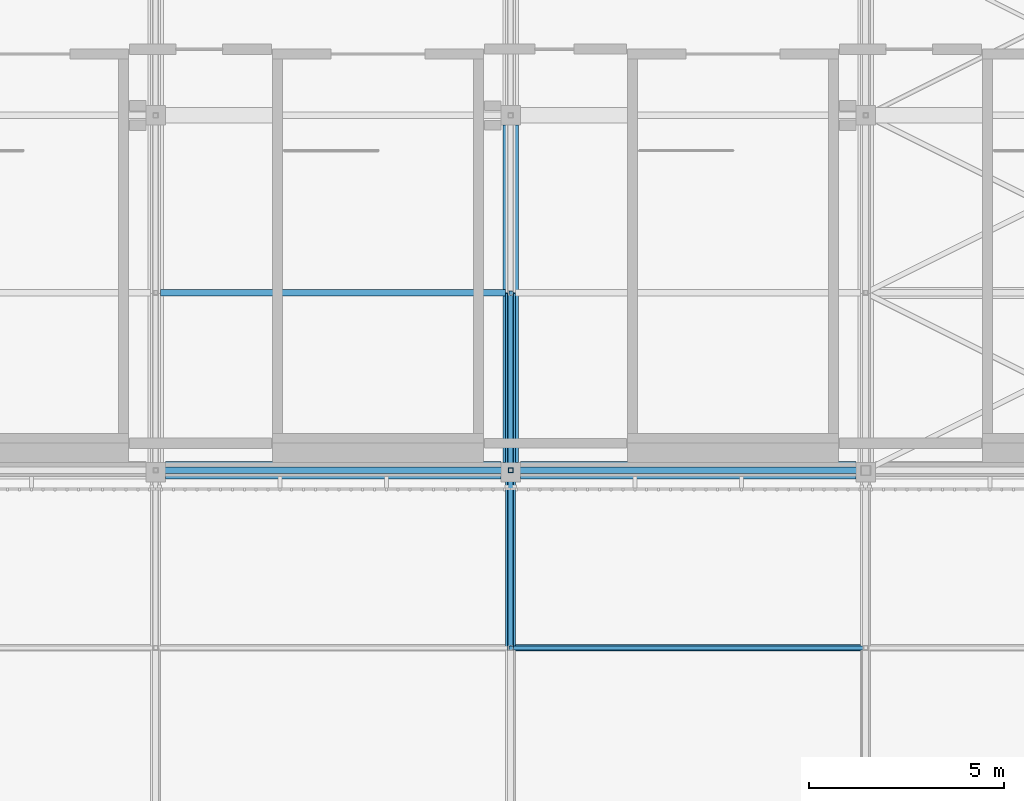
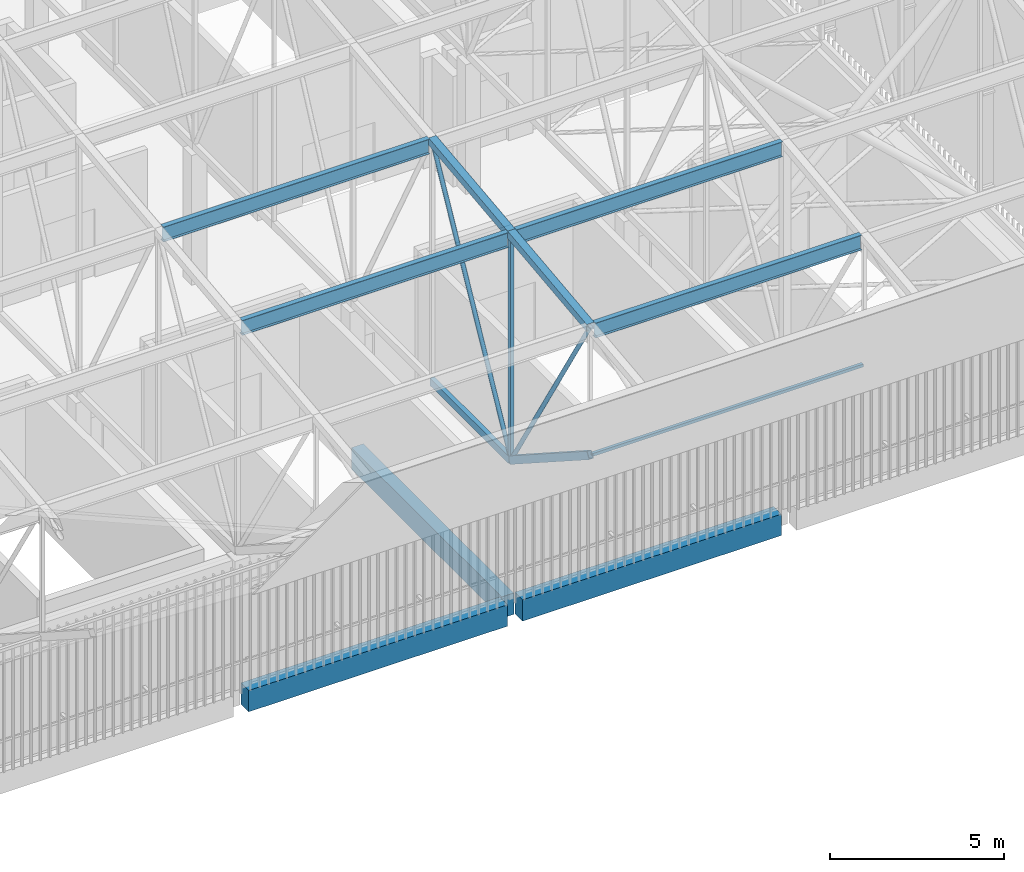
# One storey, part 328 of 500: 12 members, 3 beams.
"""IFC4 building model written with IfcOpenShell, lengths in metres."""

from ifc_helpers import new_model, si_unit, direction, frame, origin, origin_2d, place, context, subcontext, project, spatial, rectangle, hollow_rectangle, hollow_circle, i_section, extrude, material, material_profile, profile_set, type_object, element, save


model = new_model("IFC4")

# Units and contexts
model_context = context("Model", 3, precision=1e-05, world=origin(), true_north=direction((0.0, 1.0)))
body_context = subcontext(model_context, "Body", "Model", "MODEL_VIEW")
ifc_project = project(units=[si_unit("LENGTHUNIT", "METRE"), si_unit("AREAUNIT", "SQUARE_METRE"), si_unit("VOLUMEUNIT", "CUBIC_METRE"), si_unit("PLANEANGLEUNIT", "RADIAN"), si_unit("MASSUNIT", "GRAM", prefix="KILO")], contexts=[model_context])

# Site, building, storey
site_placement = place(None, origin())
site = spatial("IfcSite", under=ifc_project, at=site_placement, CompositionType="ELEMENT")
building_placement = place(site_placement, origin())
building = spatial("IfcBuilding", under=site, at=building_placement, Name="Shirokan Park Arena", CompositionType="ELEMENT")
storey_placement = place(building_placement, frame((0.0, 0.0, 29.1201171875)))
storey = spatial("IfcBuildingStorey", under=building, at=storey_placement, Name="L06", CompositionType="ELEMENT", Elevation=29.1201171875)

# Members
ifc_material_1 = material(Name="Steel ASTM A500 Grade C", Category="steel")
ifc_material_profile_1 = material_profile(ifc_material_1, hollow_rectangle(XDim=0.152099609375, YDim=0.25390625, WallThickness=0.009521484375, at=origin_2d()), Name="HSS254X152.4X9.5")
ifc_profile_set_1 = profile_set([ifc_material_profile_1], Name="Steel ASTM A500 Grade C")
member_type_1 = type_object("IfcMemberType", Name="Bottom chord HSS254X152.4X9.5", PredefinedType="CHORD", material=ifc_profile_set_1)
member_1_placement = place(storey_placement, frame((127.39990234375, -4.550048828125, 7.6044921875), z_axis=(0.0, 0.840971691661, -0.541079119746), x_axis=(-1.0, 0.0, 0.0)))
element("IfcMember", 1, at=member_1_placement, inside=storey, type_object=member_type_1, Name="Truss T15 bottom chord 2", PredefinedType="CHORD", context=body_context, shape_type="SweptSolid", body=[
    extrude(hollow_rectangle(XDim=0.152099609375, YDim=0.25390625, WallThickness=0.009521484375, at=origin_2d()), origin(), (0.0, 0.0, 1.0), 5.410400390625),
])
member_2_placement = place(storey_placement, frame((127.39990234375, 0.0, 4.677001953125), z_axis=(0.0, 1.0, 0.0), x_axis=(-1.0, 0.0, 0.0)))
element("IfcMember", 2, at=member_2_placement, inside=storey, type_object=member_type_1, Name="Truss T15 bottom chord 3", PredefinedType="CHORD", context=body_context, shape_type="SweptSolid", body=[
    extrude(hollow_rectangle(XDim=0.152099609375, YDim=0.25390625, WallThickness=0.009521484375, at=origin_2d()), origin(), (0.0, 0.0, 1.0), 4.550048828125),
])
ifc_material_profile_2 = material_profile(ifc_material_1, hollow_rectangle(XDim=0.10205078125, YDim=0.10205078125, WallThickness=0.00634765625, at=origin_2d()), Name="HSS101.6X101.6X6.4")
ifc_profile_set_2 = profile_set([ifc_material_profile_2], Name="Steel ASTM A500 Grade C")
member_type_2 = type_object("IfcMemberType", Name="Eave soffit rail HSS101.6X101.6X6.4", PredefinedType="USERDEFINED", material=ifc_profile_set_2)
member_3_placement = place(storey_placement, frame((127.45703125, -4.550048828125, 7.6044921875), z_axis=(1.0, 0.0, 0.0), x_axis=(0.0, 1.0, 0.0)))
element("IfcMember", 3, at=member_3_placement, inside=storey, type_object=member_type_2, Name="Eave soffit rail S 2 bay 15", ObjectType="EAVE SOFFIT RAIL", PredefinedType="USERDEFINED", context=body_context, shape_type="SweptSolid", body=[
    extrude(hollow_rectangle(XDim=0.10205078125, YDim=0.10205078125, WallThickness=0.00634765625, at=origin_2d()), origin(), (0.0, 0.0, 1.0), 8.986083984375),
])
ifc_material_2 = material(Name="Steel ASTM A992", Category="steel")
ifc_material_profile_3 = material_profile(ifc_material_2, i_section(OverallWidth=0.166015625, OverallDepth=0.528076171875, WebThickness=0.009765625, FlangeThickness=0.013671875, at=origin_2d()), Name="W530X74")
ifc_profile_set_3 = profile_set([ifc_material_profile_3], Name="Steel ASTM A992")
member_type_3 = type_object("IfcMemberType", Name="Purlin W530X74", PredefinedType="PURLIN", material=ifc_profile_set_3)
for number, where, z_axis, x_axis, name in (
    (4, (127.527099609375, -4.550048828125, 11.9658203125), (1.0, 0.0, 0.0), (0.0, 1.0, 0.0), "Purlin 2 bay 15"),
    (5, (118.427001953125, 0.0, 12.48583984375), (1.0, 0.0, 0.0), (0.0, 1.0, 0.0), "Purlin 3 bay 14"),
    (6, (127.527099609375, 0.0, 12.48583984375), (1.0, 0.0, 0.0), (0.0, 1.0, 0.0), "Purlin 3 bay 15"),
    (7, (118.427001953125, 4.550048828125, 13.005859375), (1.0, 0.0, 0.0), (0.0, 1.0, 0.0), "Purlin 4 bay 14"),
):
    element("IfcMember", number, at=place(storey_placement, frame(where, z_axis=z_axis, x_axis=x_axis)), inside=storey, type_object=member_type_3, Name=name, PredefinedType="PURLIN", context=body_context, shape_type="SweptSolid", body=[
        extrude(i_section(OverallWidth=0.166015625, OverallDepth=0.528076171875, WebThickness=0.009765625, FlangeThickness=0.013671875, at=origin_2d()), origin(), (0.0, 0.0, 1.0), 8.845947265625),
    ])

# Beams
ifc_material_3 = material(Name="Concrete C35", Category="concrete")
ifc_material_profile_4 = material_profile(ifc_material_3, rectangle(XDim=0.39990234375, YDim=0.75, at=origin_2d()), Name="400x750")
ifc_profile_set_4 = profile_set([ifc_material_profile_4], Name="Concrete C35")
beam_type_1 = type_object("IfcBeamType", Name="RC girder 400x750", PredefinedType="BEAM", material=ifc_profile_set_4)
beam_placement = place(storey_placement, frame((127.39990234375, 0.2001953125, -0.5751953125), z_axis=(0.0, 1.0, 0.0), x_axis=(-1.0, 0.0, 0.0)))
element("IfcBeam", 8, at=beam_placement, inside=storey, type_object=beam_type_1, Name="Girder 15A-15B L06", PredefinedType="BEAM", context=body_context, shape_type="SweptSolid", body=[
    extrude(rectangle(XDim=0.39990234375, YDim=0.75, at=origin_2d()), origin(), (0.0, 0.0, 1.0), 8.649658203125),
])
ifc_material_profile_5 = material_profile(ifc_material_3, rectangle(XDim=0.449951171875, YDim=0.75, at=origin_2d()), Name="450x750")
ifc_profile_set_5 = profile_set([ifc_material_profile_5], Name="Concrete C35")
beam_type_2 = type_object("IfcBeamType", Name="RC girder 450x750", PredefinedType="BEAM", material=ifc_profile_set_5)
for number, where, z_axis, x_axis, name in (
    (9, (118.550048828125, 0.0, -0.5751953125), (1.0, 0.0, 0.0), (0.0, 1.0, 0.0), "Girder 14A-15A L06"),
    (10, (127.650146484375, 0.0, -0.5751953125), (1.0, 0.0, 0.0), (0.0, 1.0, 0.0), "Girder 15A-16A L06"),
):
    element("IfcBeam", number, at=place(storey_placement, frame(where, z_axis=z_axis, x_axis=x_axis)), inside=storey, type_object=beam_type_2, Name=name, PredefinedType="BEAM", context=body_context, shape_type="SweptSolid", body=[
        extrude(rectangle(XDim=0.449951171875, YDim=0.75, at=origin_2d()), origin(), (0.0, 0.0, 1.0), 8.599853515625),
    ])

# Members
ifc_material_profile_6 = material_profile(ifc_material_1, hollow_rectangle(XDim=0.25390625, YDim=0.25390625, WallThickness=0.009521484375, at=origin_2d()), Name="HSS254X254X9.5")
ifc_profile_set_6 = profile_set([ifc_material_profile_6], Name="Steel ASTM A500 Grade C")
member_type_4 = type_object("IfcMemberType", Name="Top chord HSS254X254X9.5", PredefinedType="CHORD", material=ifc_profile_set_6)
for number, where, z_axis, x_axis, name in (
    (11, (127.39990234375, -4.550048828125, 12.102783203125), (0.0, 0.993532328996, 0.113549598152), (-1.0, 0.0, 0.0), "Truss T15 top chord 2"),
    (12, (127.39990234375, 0.0, 12.622802734375), (0.0, 0.993532328996, 0.113549598152), (-1.0, 0.0, 0.0), "Truss T15 top chord 3"),
):
    element("IfcMember", number, at=place(storey_placement, frame(where, z_axis=z_axis, x_axis=x_axis)), inside=storey, type_object=member_type_4, Name=name, PredefinedType="CHORD", context=body_context, shape_type="SweptSolid", body=[
        extrude(hollow_rectangle(XDim=0.25390625, YDim=0.25390625, WallThickness=0.009521484375, at=origin_2d()), origin(), (0.0, 0.0, 1.0), 4.57958984375),
    ])
ifc_material_profile_7 = material_profile(ifc_material_1, hollow_circle(Radius=0.070556640625, WallThickness=0.006591796875, at=origin_2d()), Name="HSS141.3X6.6")
ifc_profile_set_7 = profile_set([ifc_material_profile_7], Name="Steel ASTM A500 Grade C")
member_type_5 = type_object("IfcMemberType", Name="Truss diagonal HSS141.3X6.6", PredefinedType="BRACE", material=ifc_profile_set_7)
member_4_placement = place(storey_placement, frame((127.39990234375, -4.550048828125, 12.102783203125), z_axis=(0.0, 0.522458847856, -0.852664501605), x_axis=(-1.0, 0.0, 0.0)))
element("IfcMember", 13, at=member_4_placement, inside=storey, type_object=member_type_5, Name="Truss T15 diagonal 2", PredefinedType="BRACE", context=body_context, shape_type="SweptSolid", body=[
    extrude(hollow_circle(Radius=0.070556640625, WallThickness=0.006591796875, at=origin_2d()), origin(), (0.0, 0.0, 1.0), 8.708984375),
])
member_5_placement = place(storey_placement, frame((127.39990234375, 0.0, 4.677001953125), z_axis=(0.0, 0.473416507165, 0.880838697347), x_axis=(-1.0, 0.0, 0.0)))
element("IfcMember", 14, at=member_5_placement, inside=storey, type_object=member_type_5, Name="Truss T15 diagonal 3", PredefinedType="BRACE", context=body_context, shape_type="SweptSolid", body=[
    extrude(hollow_circle(Radius=0.070556640625, WallThickness=0.006591796875, at=origin_2d()), origin(), (0.0, 0.0, 1.0), 9.611083984375),
])
ifc_material_profile_8 = material_profile(ifc_material_1, hollow_rectangle(XDim=0.126953125, YDim=0.126953125, WallThickness=0.0126953125, at=origin_2d()), Name="HSS127X127X12.7")
ifc_profile_set_8 = profile_set([ifc_material_profile_8], Name="Steel ASTM A500 Grade C")
member_type_6 = type_object("IfcMemberType", Name="Truss post HSS127X127X12.7", PredefinedType="POST", material=ifc_profile_set_8)
member_6_placement = place(storey_placement, frame((127.39990234375, 0.0, 4.677001953125), z_axis=(0.0, 0.0, 1.0), x_axis=(1.0, 0.0, 0.0)))
element("IfcMember", 15, at=member_6_placement, inside=storey, type_object=member_type_6, Name="Truss T15 post 3", PredefinedType="POST", context=body_context, shape_type="SweptSolid", body=[
    extrude(hollow_rectangle(XDim=0.126953125, YDim=0.126953125, WallThickness=0.0126953125, at=origin_2d()), origin(), (0.0, 0.0, 1.0), 7.94580078125),
])

save(model, "model.ifc")
